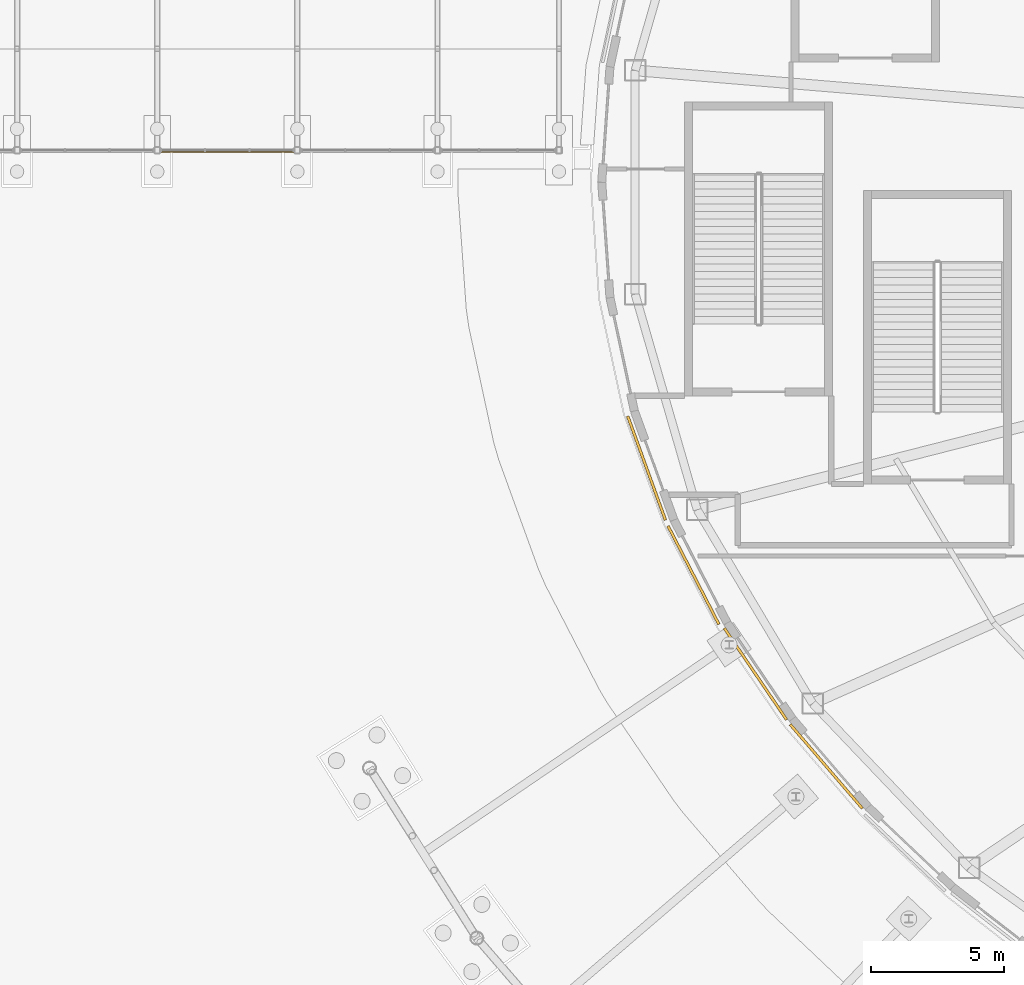
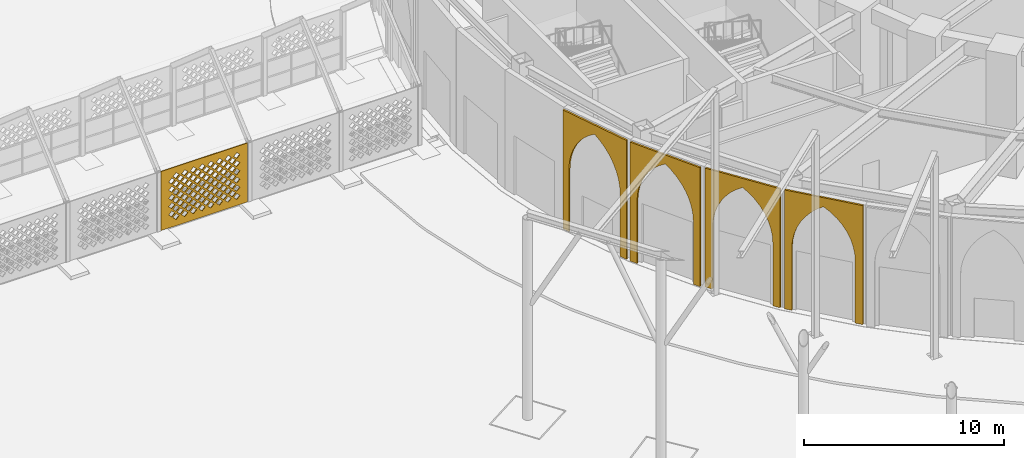
# One storey, part 62 of 79: 5 coverings.
"""IFC4 building model written with IfcOpenShell, lengths in metres."""

import ifcopenshell
import ifcopenshell.guid

model = None  # the IFC model being written
_history = None  # IfcOwnerHistory: only IFC2X3 demands one
_inside = {}  # id of a spatial element -> (the spatial element, [elements in it])
_under = {}  # id of a project, library or spatial element -> (it, [spatial elements below it])
_declared = {}  # id of a project -> (the project, [libraries it declares])
_typed = {}  # id of a type object -> (the type object, [elements of that type])
_made_of = {}  # id of a material, layer set ... -> (it, [elements and type objects made of it])


def new_model(schema):
    """Start an empty IFC model of exactly this schema.

    Asked for "IFC4X3", IfcOpenShell would pick the latest addendum, in which some entities
    have other attributes; the version numbers below select the first issue.
    IFC2X3 requires an IfcOwnerHistory on every rooted entity: one is made here for all.
    """
    global model, _history
    if schema == "IFC4X3":
        model = ifcopenshell.file(schema_version=(4, 3, 0, 0))
    else:
        model = ifcopenshell.file(schema=schema)
    _inside.clear()
    _under.clear()
    _declared.clear()
    _typed.clear()
    _made_of.clear()
    _history = None
    if model.schema == "IFC2X3":
        org = make("IfcOrganization", Name="unknown")
        user = make(
            "IfcPersonAndOrganization",
            ThePerson=make("IfcPerson", FamilyName="unknown"),
            TheOrganization=org,
        )
        app = make(
            "IfcApplication",
            ApplicationDeveloper=org,
            Version="unknown",
            ApplicationFullName="unknown",
            ApplicationIdentifier="unknown",
        )
        _history = make(
            "IfcOwnerHistory",
            OwningUser=user,
            OwningApplication=app,
            ChangeAction="ADDED",
            CreationDate=0,
        )
    return model


def make(cls, **values):
    """One entity of the class cls with the attributes given. An attribute that is None is left unset."""
    return model.create_entity(
        cls, **{name: value for name, value in values.items() if value is not None}
    )


def rooted(cls, **values):
    """An entity with a GlobalId (a new one), such as an element, a storey or a relation."""
    return make(cls, GlobalId=ifcopenshell.guid.new(), OwnerHistory=_history, **values)


def si_unit(unit_type, name, prefix=None):
    """IfcSIUnit, for example si_unit("LENGTHUNIT", "METRE", prefix="MILLI")."""
    return make("IfcSIUnit", UnitType=unit_type, Prefix=prefix, Name=name)


def assignment(units):
    """IfcUnitAssignment: the units of a project."""
    return None if units is None else make("IfcUnitAssignment", Units=units)


def point(xyz):
    """IfcCartesianPoint."""
    return None if xyz is None else make("IfcCartesianPoint", Coordinates=xyz)


def direction(xyz):
    """IfcDirection."""
    return None if xyz is None else make("IfcDirection", DirectionRatios=xyz)


def frame(location, z_axis=None, x_axis=None):
    """IfcAxis2Placement3D, a coordinate frame: its origin and axes. An axis left out is left unset."""
    return make(
        "IfcAxis2Placement3D",
        Location=point(location),
        Axis=direction(z_axis),
        RefDirection=direction(x_axis),
    )


def origin():
    """The frame at (0, 0, 0) with its axes left unset."""
    return frame((0.0, 0.0, 0.0))


def place(relative_to, where):
    """IfcLocalPlacement: puts the frame where relative to a parent placement (None: the world)."""
    return make(
        "IfcLocalPlacement", PlacementRelTo=relative_to, RelativePlacement=where
    )


def context(
    kind, dimensions, precision=None, world=None, true_north=None, identifier=None
):
    """IfcGeometricRepresentationContext, for example the 3D "Model" context."""
    return make(
        "IfcGeometricRepresentationContext",
        ContextIdentifier=identifier,
        ContextType=kind,
        CoordinateSpaceDimension=dimensions,
        Precision=precision,
        WorldCoordinateSystem=world,
        TrueNorth=true_north,
    )


def subcontext(parent, identifier, kind, view, scale=None):
    """IfcGeometricRepresentationSubContext, for example "Body" below "Model"."""
    return make(
        "IfcGeometricRepresentationSubContext",
        ContextIdentifier=identifier,
        ContextType=kind,
        ParentContext=parent,
        TargetScale=scale,
        TargetView=view,
    )


def project(units=None, contexts=None):
    """IfcProject with its units and contexts."""
    return rooted(
        "IfcProject",
        Name="project",
        RepresentationContexts=contexts,
        UnitsInContext=assignment(units),
    )


def spatial(cls, under=None, at=None, **own):
    """A site, building, storey or space (cls), placed at a placement, below another one or the project."""
    s = rooted(cls, ObjectPlacement=at, **own)
    if under is not None:
        _under.setdefault(under.id(), (under, []))[1].append(s)
    return s


def polyline(points):
    """IfcPolyline through the points."""
    return make("IfcPolyline", Points=[point(p) for p in points])


def outline(outer, holes=None, kind="AREA"):
    """IfcArbitraryClosedProfileDef: a profile drawn as a closed curve; with holes, ...WithVoids."""
    if holes is None:
        return make("IfcArbitraryClosedProfileDef", ProfileType=kind, OuterCurve=outer)
    return make(
        "IfcArbitraryProfileDefWithVoids",
        ProfileType=kind,
        OuterCurve=outer,
        InnerCurves=holes,
    )


def extrude(swept, where, along, depth):
    """IfcExtrudedAreaSolid: the profile swept, set in the frame where, extruded along a direction by depth."""
    return make(
        "IfcExtrudedAreaSolid",
        SweptArea=swept,
        Position=where,
        ExtrudedDirection=direction(along),
        Depth=depth,
    )


def shape(context_of_items, identifier, shape_type, items):
    """IfcShapeRepresentation: the items that make up one representation, for example the "Body"."""
    return make(
        "IfcShapeRepresentation",
        ContextOfItems=context_of_items,
        RepresentationIdentifier=identifier,
        RepresentationType=shape_type,
        Items=items,
    )


def material(Name=None, Category=None):
    """IfcMaterial."""
    return make("IfcMaterial", Name=Name, Category=Category)


def layer(
    of_material, thickness, ventilated=None, Name=None, Category=None, Priority=None
):
    """IfcMaterialLayer: one layer of a wall or slab, of a material (None: an air gap)."""
    return make(
        "IfcMaterialLayer",
        Material=of_material,
        LayerThickness=thickness,
        IsVentilated=ventilated,
        Name=Name,
        Category=Category,
        Priority=Priority,
    )


def layer_set(layers, Name=None):
    """IfcMaterialLayerSet."""
    return make("IfcMaterialLayerSet", MaterialLayers=layers, LayerSetName=Name)


def made_of(thing, what):
    """Note that an element or type object is made of a material, layer set ...; save() writes the relation."""
    if what is not None:
        _made_of.setdefault(what.id(), (what, []))[1].append(thing)
    return thing


def type_object(cls, material=None, **own):
    """A type object (cls), such as IfcWallType, which elements share."""
    return made_of(rooted(cls, **own), material)


def element(
    cls,
    number,
    at=None,
    inside=None,
    cuts=None,
    type_object=None,
    material=None,
    context=None,
    identifier="Body",
    shape_type=None,
    held_by="IfcProductDefinitionShape",
    body=None,
    shapes=None,
    **own,
):
    """One element of the class cls, such as IfcWall. Its Tag is "e" and its number.

    at: its placement. inside: the storey or other place that contains it. cuts: it is an
    opening in that element (IfcRelVoidsElement). A single representation is given by context,
    identifier, shape_type and body (its items); several are given by shapes. held_by: the class
    of the entity that holds the representations. save() writes the other relations.
    """
    e = rooted(cls, Tag="e%d" % number, ObjectPlacement=at, **own)
    if body is not None:
        shapes = [shape(context, identifier, shape_type, body)]
    if shapes is not None:
        e.Representation = make(held_by, Representations=shapes)
    if inside is not None:
        _inside.setdefault(inside.id(), (inside, []))[1].append(e)
    if cuts is not None:
        rooted(
            "IfcRelVoidsElement", RelatingBuildingElement=cuts, RelatedOpeningElement=e
        )
    if type_object is not None:
        _typed.setdefault(type_object.id(), (type_object, []))[1].append(e)
    return made_of(e, material)


def aggregate(whole, parts):
    """IfcRelAggregates: a whole, such as a stair, and the parts it consists of."""
    return rooted("IfcRelAggregates", RelatingObject=whole, RelatedObjects=parts)


def save(model, path):
    """Write the relations noted so far, then the file.

    IfcRelAggregates (storeys below a building ...), IfcRelContainedInSpatialStructure (elements
    in a storey), IfcRelDefinesByType, IfcRelAssociatesMaterial and IfcRelDeclares: one each for
    every whole, place, type object, material and project.
    """
    for whole, parts in _under.values():
        aggregate(whole, parts)
    for where, things in _inside.values():
        rooted(
            "IfcRelContainedInSpatialStructure",
            RelatedElements=things,
            RelatingStructure=where,
        )
    for kind, things in _typed.values():
        rooted("IfcRelDefinesByType", RelatedObjects=things, RelatingType=kind)
    for what, things in _made_of.values():
        rooted("IfcRelAssociatesMaterial", RelatedObjects=things, RelatingMaterial=what)
    for by, libraries in _declared.values():
        rooted("IfcRelDeclares", RelatingContext=by, RelatedDefinitions=libraries)
    model.write(path)


model = new_model("IFC4")

# Units and contexts
model_context = context("Model", 3, precision=1e-05, world=origin(), true_north=direction((0.0, 1.0)))
body_context = subcontext(model_context, "Body", "Model", "MODEL_VIEW")
ifc_project = project(units=[si_unit("LENGTHUNIT", "METRE"), si_unit("AREAUNIT", "SQUARE_METRE"), si_unit("VOLUMEUNIT", "CUBIC_METRE"), si_unit("PLANEANGLEUNIT", "RADIAN"), si_unit("MASSUNIT", "GRAM", prefix="KILO")], contexts=[model_context])

# Site, building, storey
site_placement = place(None, origin())
site = spatial("IfcSite", under=ifc_project, at=site_placement, CompositionType="ELEMENT")
building_placement = place(site_placement, origin())
building = spatial("IfcBuilding", under=site, at=building_placement, Name="Noorbagh Ring Tower", CompositionType="ELEMENT")
storey_placement = place(building_placement, origin())
storey = spatial("IfcBuildingStorey", under=building, at=storey_placement, Name="L00", CompositionType="ELEMENT", Elevation=0.0)

# Coverings
ifc_material_1 = material(Name="Red sandstone jali", Category="masonry")
ifc_layer_1 = layer(ifc_material_1, 0.0400390625)
ifc_layer_set_1 = layer_set([ifc_layer_1], Name="Red sandstone jali")
covering_type_1 = type_object("IfcCoveringType", Name="AR-JALI", PredefinedType="USERDEFINED", material=ifc_layer_set_1)
covering_1_placement = place(storey_placement, frame((-68.125, 1.110107421875, 0.0), z_axis=(0.0, -1.0, 0.0), x_axis=(1.0, 0.0, 0.0)))
element("IfcCovering", 1, at=covering_1_placement, inside=storey, type_object=covering_type_1, Name="Jali screen", ObjectType="SCREEN", PredefinedType="USERDEFINED", context=body_context, shape_type="SweptSolid", body=[
    extrude(outline(polyline([(0.0, 0.0), (5.0, 0.0), (5.0, 3.60009765625), (0.0, 3.60009765625), (0.0, 0.0)]), holes=[polyline([(0.695068359375, 0.550048828125), (0.875, 0.3701171875), (1.054931640625, 0.550048828125), (0.875, 0.72998046875), (0.695068359375, 0.550048828125)]), polyline([(1.195068359375, 0.550048828125), (1.375, 0.3701171875), (1.554931640625, 0.550048828125), (1.375, 0.72998046875), (1.195068359375, 0.550048828125)]), polyline([(1.695068359375, 0.550048828125), (1.875, 0.3701171875), (2.054931640625, 0.550048828125), (1.875, 0.72998046875), (1.695068359375, 0.550048828125)]), polyline([(2.195068359375, 0.550048828125), (2.375, 0.3701171875), (2.554931640625, 0.550048828125), (2.375, 0.72998046875), (2.195068359375, 0.550048828125)]), polyline([(2.695068359375, 0.550048828125), (2.875, 0.3701171875), (3.054931640625, 0.550048828125), (2.875, 0.72998046875), (2.695068359375, 0.550048828125)]), polyline([(3.195068359375, 0.550048828125), (3.375, 0.3701171875), (3.554931640625, 0.550048828125), (3.375, 0.72998046875), (3.195068359375, 0.550048828125)]), polyline([(3.695068359375, 0.550048828125), (3.875, 0.3701171875), (4.054931640625, 0.550048828125), (3.875, 0.72998046875), (3.695068359375, 0.550048828125)]), polyline([(4.195068359375, 0.550048828125), (4.375, 0.3701171875), (4.554931640625, 0.550048828125), (4.375, 0.72998046875), (4.195068359375, 0.550048828125)]), polyline([(0.445068359375, 0.800048828125), (0.625, 0.6201171875), (0.804931640625, 0.800048828125), (0.625, 0.97998046875), (0.445068359375, 0.800048828125)]), polyline([(0.945068359375, 0.800048828125), (1.125, 0.6201171875), (1.304931640625, 0.800048828125), (1.125, 0.97998046875), (0.945068359375, 0.800048828125)]), polyline([(1.445068359375, 0.800048828125), (1.625, 0.6201171875), (1.804931640625, 0.800048828125), (1.625, 0.97998046875), (1.445068359375, 0.800048828125)]), polyline([(1.945068359375, 0.800048828125), (2.125, 0.6201171875), (2.304931640625, 0.800048828125), (2.125, 0.97998046875), (1.945068359375, 0.800048828125)]), polyline([(2.445068359375, 0.800048828125), (2.625, 0.6201171875), (2.804931640625, 0.800048828125), (2.625, 0.97998046875), (2.445068359375, 0.800048828125)]), polyline([(2.945068359375, 0.800048828125), (3.125, 0.6201171875), (3.304931640625, 0.800048828125), (3.125, 0.97998046875), (2.945068359375, 0.800048828125)]), polyline([(3.445068359375, 0.800048828125), (3.625, 0.6201171875), (3.804931640625, 0.800048828125), (3.625, 0.97998046875), (3.445068359375, 0.800048828125)]), polyline([(3.945068359375, 0.800048828125), (4.125, 0.6201171875), (4.304931640625, 0.800048828125), (4.125, 0.97998046875), (3.945068359375, 0.800048828125)]), polyline([(0.695068359375, 1.050048828125), (0.875, 0.8701171875), (1.054931640625, 1.050048828125), (0.875, 1.22998046875), (0.695068359375, 1.050048828125)]), polyline([(1.195068359375, 1.050048828125), (1.375, 0.8701171875), (1.554931640625, 1.050048828125), (1.375, 1.22998046875), (1.195068359375, 1.050048828125)]), polyline([(1.695068359375, 1.050048828125), (1.875, 0.8701171875), (2.054931640625, 1.050048828125), (1.875, 1.22998046875), (1.695068359375, 1.050048828125)]), polyline([(2.195068359375, 1.050048828125), (2.375, 0.8701171875), (2.554931640625, 1.050048828125), (2.375, 1.22998046875), (2.195068359375, 1.050048828125)]), polyline([(2.695068359375, 1.050048828125), (2.875, 0.8701171875), (3.054931640625, 1.050048828125), (2.875, 1.22998046875), (2.695068359375, 1.050048828125)]), polyline([(3.195068359375, 1.050048828125), (3.375, 0.8701171875), (3.554931640625, 1.050048828125), (3.375, 1.22998046875), (3.195068359375, 1.050048828125)]), polyline([(3.695068359375, 1.050048828125), (3.875, 0.8701171875), (4.054931640625, 1.050048828125), (3.875, 1.22998046875), (3.695068359375, 1.050048828125)]), polyline([(4.195068359375, 1.050048828125), (4.375, 0.8701171875), (4.554931640625, 1.050048828125), (4.375, 1.22998046875), (4.195068359375, 1.050048828125)]), polyline([(0.445068359375, 1.300048828125), (0.625, 1.1201171875), (0.804931640625, 1.300048828125), (0.625, 1.47998046875), (0.445068359375, 1.300048828125)]), polyline([(0.945068359375, 1.300048828125), (1.125, 1.1201171875), (1.304931640625, 1.300048828125), (1.125, 1.47998046875), (0.945068359375, 1.300048828125)]), polyline([(1.445068359375, 1.300048828125), (1.625, 1.1201171875), (1.804931640625, 1.300048828125), (1.625, 1.47998046875), (1.445068359375, 1.300048828125)]), polyline([(1.945068359375, 1.300048828125), (2.125, 1.1201171875), (2.304931640625, 1.300048828125), (2.125, 1.47998046875), (1.945068359375, 1.300048828125)]), polyline([(2.445068359375, 1.300048828125), (2.625, 1.1201171875), (2.804931640625, 1.300048828125), (2.625, 1.47998046875), (2.445068359375, 1.300048828125)]), polyline([(2.945068359375, 1.300048828125), (3.125, 1.1201171875), (3.304931640625, 1.300048828125), (3.125, 1.47998046875), (2.945068359375, 1.300048828125)]), polyline([(3.445068359375, 1.300048828125), (3.625, 1.1201171875), (3.804931640625, 1.300048828125), (3.625, 1.47998046875), (3.445068359375, 1.300048828125)]), polyline([(3.945068359375, 1.300048828125), (4.125, 1.1201171875), (4.304931640625, 1.300048828125), (4.125, 1.47998046875), (3.945068359375, 1.300048828125)]), polyline([(0.695068359375, 1.550048828125), (0.875, 1.3701171875), (1.054931640625, 1.550048828125), (0.875, 1.72998046875), (0.695068359375, 1.550048828125)]), polyline([(1.195068359375, 1.550048828125), (1.375, 1.3701171875), (1.554931640625, 1.550048828125), (1.375, 1.72998046875), (1.195068359375, 1.550048828125)]), polyline([(1.695068359375, 1.550048828125), (1.875, 1.3701171875), (2.054931640625, 1.550048828125), (1.875, 1.72998046875), (1.695068359375, 1.550048828125)]), polyline([(2.195068359375, 1.550048828125), (2.375, 1.3701171875), (2.554931640625, 1.550048828125), (2.375, 1.72998046875), (2.195068359375, 1.550048828125)]), polyline([(2.695068359375, 1.550048828125), (2.875, 1.3701171875), (3.054931640625, 1.550048828125), (2.875, 1.72998046875), (2.695068359375, 1.550048828125)]), polyline([(3.195068359375, 1.550048828125), (3.375, 1.3701171875), (3.554931640625, 1.550048828125), (3.375, 1.72998046875), (3.195068359375, 1.550048828125)]), polyline([(3.695068359375, 1.550048828125), (3.875, 1.3701171875), (4.054931640625, 1.550048828125), (3.875, 1.72998046875), (3.695068359375, 1.550048828125)]), polyline([(4.195068359375, 1.550048828125), (4.375, 1.3701171875), (4.554931640625, 1.550048828125), (4.375, 1.72998046875), (4.195068359375, 1.550048828125)]), polyline([(0.445068359375, 1.800048828125), (0.625, 1.6201171875), (0.804931640625, 1.800048828125), (0.625, 1.97998046875), (0.445068359375, 1.800048828125)]), polyline([(0.945068359375, 1.800048828125), (1.125, 1.6201171875), (1.304931640625, 1.800048828125), (1.125, 1.97998046875), (0.945068359375, 1.800048828125)]), polyline([(1.445068359375, 1.800048828125), (1.625, 1.6201171875), (1.804931640625, 1.800048828125), (1.625, 1.97998046875), (1.445068359375, 1.800048828125)]), polyline([(1.945068359375, 1.800048828125), (2.125, 1.6201171875), (2.304931640625, 1.800048828125), (2.125, 1.97998046875), (1.945068359375, 1.800048828125)]), polyline([(2.445068359375, 1.800048828125), (2.625, 1.6201171875), (2.804931640625, 1.800048828125), (2.625, 1.97998046875), (2.445068359375, 1.800048828125)]), polyline([(2.945068359375, 1.800048828125), (3.125, 1.6201171875), (3.304931640625, 1.800048828125), (3.125, 1.97998046875), (2.945068359375, 1.800048828125)]), polyline([(3.445068359375, 1.800048828125), (3.625, 1.6201171875), (3.804931640625, 1.800048828125), (3.625, 1.97998046875), (3.445068359375, 1.800048828125)]), polyline([(3.945068359375, 1.800048828125), (4.125, 1.6201171875), (4.304931640625, 1.800048828125), (4.125, 1.97998046875), (3.945068359375, 1.800048828125)]), polyline([(0.695068359375, 2.050048828125), (0.875, 1.8701171875), (1.054931640625, 2.050048828125), (0.875, 2.22998046875), (0.695068359375, 2.050048828125)]), polyline([(1.195068359375, 2.050048828125), (1.375, 1.8701171875), (1.554931640625, 2.050048828125), (1.375, 2.22998046875), (1.195068359375, 2.050048828125)]), polyline([(1.695068359375, 2.050048828125), (1.875, 1.8701171875), (2.054931640625, 2.050048828125), (1.875, 2.22998046875), (1.695068359375, 2.050048828125)]), polyline([(2.195068359375, 2.050048828125), (2.375, 1.8701171875), (2.554931640625, 2.050048828125), (2.375, 2.22998046875), (2.195068359375, 2.050048828125)]), polyline([(2.695068359375, 2.050048828125), (2.875, 1.8701171875), (3.054931640625, 2.050048828125), (2.875, 2.22998046875), (2.695068359375, 2.050048828125)]), polyline([(3.195068359375, 2.050048828125), (3.375, 1.8701171875), (3.554931640625, 2.050048828125), (3.375, 2.22998046875), (3.195068359375, 2.050048828125)]), polyline([(3.695068359375, 2.050048828125), (3.875, 1.8701171875), (4.054931640625, 2.050048828125), (3.875, 2.22998046875), (3.695068359375, 2.050048828125)]), polyline([(4.195068359375, 2.050048828125), (4.375, 1.8701171875), (4.554931640625, 2.050048828125), (4.375, 2.22998046875), (4.195068359375, 2.050048828125)]), polyline([(0.445068359375, 2.300048828125), (0.625, 2.1201171875), (0.804931640625, 2.300048828125), (0.625, 2.47998046875), (0.445068359375, 2.300048828125)]), polyline([(0.945068359375, 2.300048828125), (1.125, 2.1201171875), (1.304931640625, 2.300048828125), (1.125, 2.47998046875), (0.945068359375, 2.300048828125)]), polyline([(1.445068359375, 2.300048828125), (1.625, 2.1201171875), (1.804931640625, 2.300048828125), (1.625, 2.47998046875), (1.445068359375, 2.300048828125)]), polyline([(1.945068359375, 2.300048828125), (2.125, 2.1201171875), (2.304931640625, 2.300048828125), (2.125, 2.47998046875), (1.945068359375, 2.300048828125)]), polyline([(2.445068359375, 2.300048828125), (2.625, 2.1201171875), (2.804931640625, 2.300048828125), (2.625, 2.47998046875), (2.445068359375, 2.300048828125)]), polyline([(2.945068359375, 2.300048828125), (3.125, 2.1201171875), (3.304931640625, 2.300048828125), (3.125, 2.47998046875), (2.945068359375, 2.300048828125)]), polyline([(3.445068359375, 2.300048828125), (3.625, 2.1201171875), (3.804931640625, 2.300048828125), (3.625, 2.47998046875), (3.445068359375, 2.300048828125)]), polyline([(3.945068359375, 2.300048828125), (4.125, 2.1201171875), (4.304931640625, 2.300048828125), (4.125, 2.47998046875), (3.945068359375, 2.300048828125)]), polyline([(0.695068359375, 2.550048828125), (0.875, 2.3701171875), (1.054931640625, 2.550048828125), (0.875, 2.72998046875), (0.695068359375, 2.550048828125)]), polyline([(1.195068359375, 2.550048828125), (1.375, 2.3701171875), (1.554931640625, 2.550048828125), (1.375, 2.72998046875), (1.195068359375, 2.550048828125)]), polyline([(1.695068359375, 2.550048828125), (1.875, 2.3701171875), (2.054931640625, 2.550048828125), (1.875, 2.72998046875), (1.695068359375, 2.550048828125)]), polyline([(2.195068359375, 2.550048828125), (2.375, 2.3701171875), (2.554931640625, 2.550048828125), (2.375, 2.72998046875), (2.195068359375, 2.550048828125)]), polyline([(2.695068359375, 2.550048828125), (2.875, 2.3701171875), (3.054931640625, 2.550048828125), (2.875, 2.72998046875), (2.695068359375, 2.550048828125)]), polyline([(3.195068359375, 2.550048828125), (3.375, 2.3701171875), (3.554931640625, 2.550048828125), (3.375, 2.72998046875), (3.195068359375, 2.550048828125)]), polyline([(3.695068359375, 2.550048828125), (3.875, 2.3701171875), (4.054931640625, 2.550048828125), (3.875, 2.72998046875), (3.695068359375, 2.550048828125)]), polyline([(4.195068359375, 2.550048828125), (4.375, 2.3701171875), (4.554931640625, 2.550048828125), (4.375, 2.72998046875), (4.195068359375, 2.550048828125)]), polyline([(0.445068359375, 2.800048828125), (0.625, 2.6201171875), (0.804931640625, 2.800048828125), (0.625, 2.97998046875), (0.445068359375, 2.800048828125)]), polyline([(0.945068359375, 2.800048828125), (1.125, 2.6201171875), (1.304931640625, 2.800048828125), (1.125, 2.97998046875), (0.945068359375, 2.800048828125)]), polyline([(1.445068359375, 2.800048828125), (1.625, 2.6201171875), (1.804931640625, 2.800048828125), (1.625, 2.97998046875), (1.445068359375, 2.800048828125)]), polyline([(1.945068359375, 2.800048828125), (2.125, 2.6201171875), (2.304931640625, 2.800048828125), (2.125, 2.97998046875), (1.945068359375, 2.800048828125)]), polyline([(2.445068359375, 2.800048828125), (2.625, 2.6201171875), (2.804931640625, 2.800048828125), (2.625, 2.97998046875), (2.445068359375, 2.800048828125)]), polyline([(2.945068359375, 2.800048828125), (3.125, 2.6201171875), (3.304931640625, 2.800048828125), (3.125, 2.97998046875), (2.945068359375, 2.800048828125)]), polyline([(3.445068359375, 2.800048828125), (3.625, 2.6201171875), (3.804931640625, 2.800048828125), (3.625, 2.97998046875), (3.445068359375, 2.800048828125)]), polyline([(3.945068359375, 2.800048828125), (4.125, 2.6201171875), (4.304931640625, 2.800048828125), (4.125, 2.97998046875), (3.945068359375, 2.800048828125)]), polyline([(0.695068359375, 3.050048828125), (0.875, 2.8701171875), (1.054931640625, 3.050048828125), (0.875, 3.22998046875), (0.695068359375, 3.050048828125)]), polyline([(1.195068359375, 3.050048828125), (1.375, 2.8701171875), (1.554931640625, 3.050048828125), (1.375, 3.22998046875), (1.195068359375, 3.050048828125)]), polyline([(1.695068359375, 3.050048828125), (1.875, 2.8701171875), (2.054931640625, 3.050048828125), (1.875, 3.22998046875), (1.695068359375, 3.050048828125)]), polyline([(2.195068359375, 3.050048828125), (2.375, 2.8701171875), (2.554931640625, 3.050048828125), (2.375, 3.22998046875), (2.195068359375, 3.050048828125)]), polyline([(2.695068359375, 3.050048828125), (2.875, 2.8701171875), (3.054931640625, 3.050048828125), (2.875, 3.22998046875), (2.695068359375, 3.050048828125)]), polyline([(3.195068359375, 3.050048828125), (3.375, 2.8701171875), (3.554931640625, 3.050048828125), (3.375, 3.22998046875), (3.195068359375, 3.050048828125)]), polyline([(3.695068359375, 3.050048828125), (3.875, 2.8701171875), (4.054931640625, 3.050048828125), (3.875, 3.22998046875), (3.695068359375, 3.050048828125)]), polyline([(4.195068359375, 3.050048828125), (4.375, 2.8701171875), (4.554931640625, 3.050048828125), (4.375, 3.22998046875), (4.195068359375, 3.050048828125)])]), origin(), (0.0, 0.0, -1.0), 0.0400390625),
])
ifc_material_2 = material(Name="Red sandstone cladding", Category="masonry")
ifc_layer_2 = layer(ifc_material_2, 0.10009765625)
ifc_layer_set_2 = layer_set([ifc_layer_2], Name="Red sandstone cladding")
covering_type_2 = type_object("IfcCoveringType", Name="STY-SPANDREL", PredefinedType="USERDEFINED", material=ifc_layer_set_2)
covering_2_placement = place(storey_placement, frame((-50.576904296875, -8.7470703125, 0.0), z_axis=(0.939974802467, 0.341243857849, 1.4377162e-05), x_axis=(0.341243857885, -0.939974802564, 6.11e-10)))
element("IfcCovering", 2, at=covering_2_placement, inside=storey, type_object=covering_type_2, Name="Arch spandrel", ObjectType="ARCH", PredefinedType="USERDEFINED", context=body_context, shape_type="SweptSolid", body=[
    extrude(outline(polyline([(0.0, 0.0), (0.3999796173112085, -2.117582368135751e-22), (0.39997961963308526, -3.8000488277322595), (0.42855554338521884, -4.236083983701523), (0.5137410305439926, -4.664794921354322), (0.6545348254730609, -5.078857420450254), (0.847766538294704, -5.470703123740434), (1.0906618881453636, -5.83422851232465), (1.3786531205027812, -6.162841795363932), (1.7072762407644784, -6.450927730123929), (2.070878927288778, -6.693847652573716), (2.434252127480442, -6.450927730126072), (2.7627919359013493, -6.162841793245026), (3.0510959653817173, -5.834228511750467), (3.293908003299398, -5.470703122459235), (3.487223027130938, -5.078857416281001), (3.6277040240294878, -4.664794917564287), (3.7128895106643665, -4.236083980305702), (3.741465433883654, -3.800048823865095), (3.7414654315617772, 3.867164323878271e-09), (4.141445048872986, 3.867164323878271e-09), (4.141445053302825, -7.249999995383538), (4.429839536299381e-09, -7.2499999992507025), (0.0, 0.0)])), origin(), (0.0, 0.0, -1.0), 0.10009765625),
])
covering_3_placement = place(storey_placement, frame((-49.070556640625, -12.852294921875, 0.0), z_axis=(0.888321749773, 0.45922158971, 2.0608095e-05), x_axis=(0.459221589807, -0.888321749962, -9.294e-09)))
element("IfcCovering", 3, at=covering_3_placement, inside=storey, type_object=covering_type_2, Name="Arch spandrel", ObjectType="ARCH", PredefinedType="USERDEFINED", context=body_context, shape_type="SweptSolid", body=[
    extrude(outline(polyline([(0.0, 0.0), (0.3999760750290621, 4.235164736271502e-22), (0.39997603971091633, -3.800048827318071), (0.42869003174896625, -4.236572270713883), (0.5139718682011134, -4.665771486839144), (0.6546103496262436, -5.080078131724745), (0.8482124925258949, -5.472412113059034), (1.0913836354481867, -5.8361816487462015), (1.3796520936651784, -6.165283215128732), (1.7086509432279477, -6.45385743595489), (2.0725925391044657, -6.69702149931535), (2.4364220248550317, -6.453857442247429), (2.765204004354657, -6.165283223383658), (3.05368934411631, -5.836181667218441), (3.296972608446393, -5.472412136091752), (3.490462643992901, -5.0800781533110095), (3.6312132477652197, -4.665771512654215), (3.716382977549484, -4.236572295930103), (3.7449922169204566, -3.8000488577304723), (3.7449922522386023, -3.0412401637583875e-08), (4.145073088048952, -3.719323399301543e-08), (4.145073020666514, -7.250000035653718), (-6.738243850994524e-08, -7.249999998460484), (0.0, 0.0)])), origin(), (0.0, 0.0, -1.0), 0.10009765625),
])
covering_4_placement = place(storey_placement, frame((-47.04931640625, -16.731689453125, 0.0), z_axis=(-0.826645111421, -0.562723607792, 3.158038e-05), x_axis=(0.562723608073, -0.826645111833, -6.237e-09)))
element("IfcCovering", 4, at=covering_4_placement, inside=storey, type_object=covering_type_2, Name="Arch spandrel", ObjectType="ARCH", PredefinedType="USERDEFINED", context=body_context, shape_type="SweptSolid", body=[
    extrude(outline(polyline([(0.0, 0.0), (0.4001306868107785, 8.470329472543003e-22), (0.4001306631089516, 3.8000488262300673), (0.4287742966089393, 4.23706054474333), (0.514164183604192, 4.666748046773016), (0.6549435187513825, 5.081542964800041), (0.8487464084328573, 5.47436523424193), (1.0921164052525192, 5.838623048569027), (1.3809916088499798, 6.167968754888671), (1.7102925148173833, 6.456787116071936), (2.0743985997404155, 6.70019531916494), (2.438843889047473, 6.456787118287664), (2.7681447986177363, 6.167968761008973), (3.0570200063236155, 5.838623061407079), (3.300252623993829, 5.474365244723124), (3.4940555185755593, 5.0815429833067824), (3.634770424936224, 4.666748068709197), (3.7203621349458627, 4.237060566830048), (3.749005773897347, 3.8000488482791512), (3.7490057975991737, 2.204908378778238e-08), (4.1489346667556966, 2.638645422779306e-08), (4.148934621535687, 7.250000022771168), (-4.522000969380473e-08, 7.249999996384714), (0.0, 0.0)])), origin(), (0.0, 0.0, -1.0), 0.10009765625),
])
covering_5_placement = place(storey_placement, frame((-44.576416015625, -20.342041015625, 0.0), z_axis=(-0.75875641917, -0.651374467054, 6.200918e-06), x_axis=(0.651374467067, -0.758756419184, -2.47e-10)))
element("IfcCovering", 5, at=covering_5_placement, inside=storey, type_object=covering_type_2, Name="Arch spandrel", ObjectType="ARCH", PredefinedType="USERDEFINED", context=body_context, shape_type="SweptSolid", body=[
    extrude(outline(polyline([(0.0, 0.0), (0.399939156593362, 2.117582368135751e-22), (0.39993915565315125, 3.8000488280519407), (0.4288561261725253, 4.237548827748726), (0.5143889839748469, 4.6677246086041615), (0.6554787020573816, 5.083007812890226), (0.849212091565173, 5.476318360032137), (1.0929940175821418, 5.841064453002535), (1.3819522642134947, 6.170654296919015), (1.711770345363345, 6.4597167970659415), (2.0763842074592143, 6.703613281924203), (2.4409980696757736, 6.4597167980418435), (2.770816150968664, 6.170654298199885), (3.059959641029514, 5.8410644536429706), (3.303556323960572, 5.476318360113462), (3.497633983898891, 5.083007813683146), (3.638564675217426, 4.667724610586462), (3.7240975332326167, 4.237548828958437), (3.7528292607020814, 3.8000488296581123), (3.752829261642292, 1.6061715723068696e-09), (4.152768418235654, 1.6061715723051756e-09), (4.152768416441854, 7.250000001466784), (-1.7938001202860929e-09, 7.249999999860613), (0.0, 0.0)])), origin(), (0.0, 0.0, -1.0), 0.10009765625),
])

save(model, "model.ifc")
